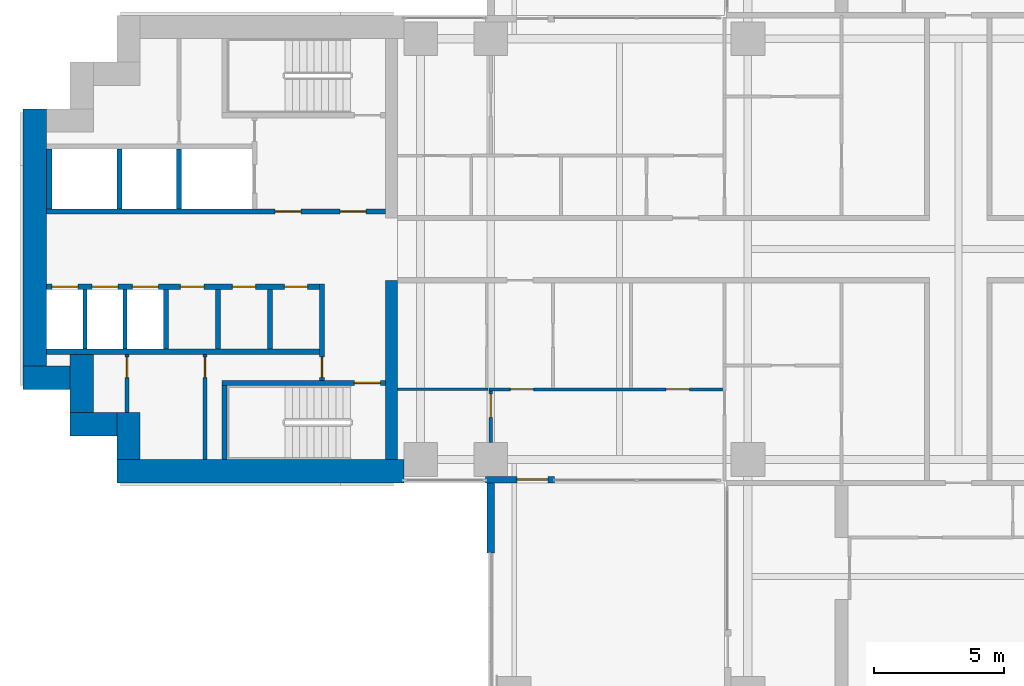
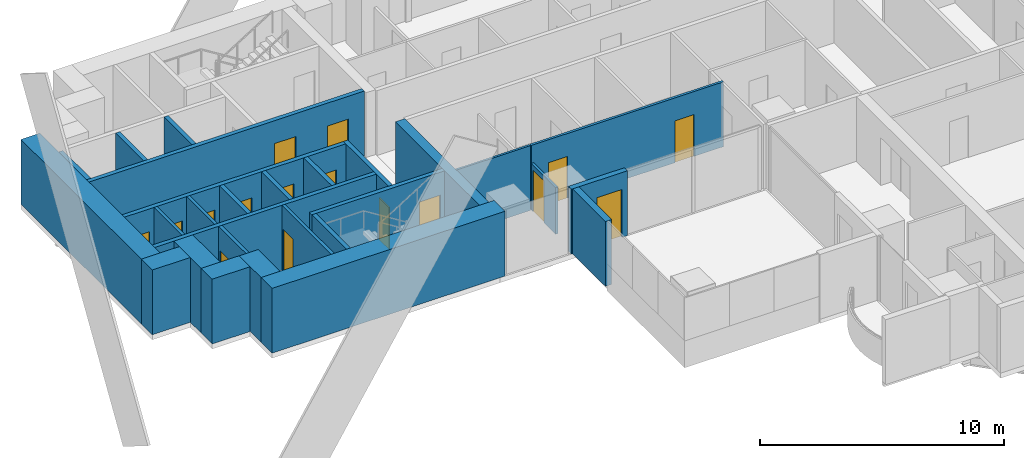
# One storey, part 11 of 23: 28 walls, 16 doors, 16 openings.
"""IFC4 building model written with IfcOpenShell, lengths in metres."""

from ifc_helpers import new_model, si_unit, direction, frame, frame_2d, origin, place, context, subcontext, project, spatial, rectangle, extrude, material, layer, layer_set, type_object, element, fill, save


model = new_model("IFC4")

# Units and contexts
model_context = context("Model", 3, precision=1e-05, world=origin(), true_north=direction((0.0, 1.0)))
body_context = subcontext(model_context, "Body", "Model", "MODEL_VIEW")
ifc_project = project(units=[si_unit("LENGTHUNIT", "METRE"), si_unit("AREAUNIT", "SQUARE_METRE"), si_unit("VOLUMEUNIT", "CUBIC_METRE"), si_unit("PLANEANGLEUNIT", "RADIAN"), si_unit("MASSUNIT", "GRAM", prefix="KILO")], contexts=[model_context])

# Site, building, storey
site_placement = place(None, origin())
site = spatial("IfcSite", under=ifc_project, at=site_placement, CompositionType="ELEMENT")
building_placement = place(site_placement, origin())
building = spatial("IfcBuilding", under=site, at=building_placement, Name="Perihelion Cross Residences", CompositionType="ELEMENT")
storey_placement = place(building_placement, frame((0.0, 0.0, 85.5)))
storey = spatial("IfcBuildingStorey", under=building, at=storey_placement, Name="L19", CompositionType="ELEMENT", Elevation=85.5)

# Wall, opening, door
ifc_material_1 = material(Name="Concrete C30/37, bronze-clad", Category="concrete")
ifc_layer_1 = layer(ifc_material_1, 0.25)
ifc_layer_set_1 = layer_set([ifc_layer_1], Name="Bronze-clad pier wall 250")
wall_type_1 = type_object("IfcWallType", Name="Bronze-clad pier wall 250", PredefinedType="SOLIDWALL", material=ifc_layer_set_1)
wall_1_placement = place(storey_placement, frame((-18.199951171875, -8.875, 0.0), z_axis=(0.0, 0.0, 1.0), x_axis=(1.0, 0.0, 0.0)))
wall_1 = element("IfcWall", 1, at=wall_1_placement, inside=storey, type_object=wall_type_1, Name="Wall FW1 L19 west side south bay 2 pier", PredefinedType="SOLIDWALL", context=body_context, shape_type="SweptSolid", body=[
    extrude(rectangle(XDim=2.64990234375, YDim=0.25, at=frame_2d((1.324951171875, 0.0))), origin(), (0.0, 0.0, 1.0), 3.25),
])
opening_1_placement = place(wall_1_placement, frame((1.199951171875, 0.0, 0.0)))
opening_1 = element("IfcOpeningElement", 2, at=opening_1_placement, cuts=wall_1, Name="Opening L19.E09", PredefinedType="OPENING", context=body_context, shape_type="SweptSolid", body=[
    extrude(rectangle(XDim=1.199951171875, YDim=2.39990234375, at=frame_2d((0.60009765625, 1.199951171875))), frame((0.0, 0.135009765625, 0.0), z_axis=(0.0, -1.0, 0.0), x_axis=(1.0, 0.0, 0.0)), (0.0, 0.0, 1.0), 0.27001953125),
])
ifc_material_2 = material(Name="Bronze anodised aluminium, glazed", Category="aluminium")
door_type_1 = type_object("IfcDoorType", Name="Balcony door 1200 x 2400", OperationType="NOTDEFINED", PredefinedType="DOOR", material=ifc_material_2)
door_1_placement = place(opening_1_placement, origin())
door_1 = element("IfcDoor", 3, at=door_1_placement, inside=storey, type_object=door_type_1, Name="Door L19.E09 west side south bay 2", OperationType="SINGLE_SWING_RIGHT", OverallHeight=2.39990234375, OverallWidth=1.199951171875, PredefinedType="DOOR", context=body_context, shape_type="SweptSolid", body=[
    extrude(rectangle(XDim=1.199951171875, YDim=2.39990234375, at=frame_2d((0.60009765625, 1.199951171875))), frame((0.0, 0.02490234375, 0.0), z_axis=(0.0, -1.0, 0.0), x_axis=(1.0, 0.0, 0.0)), (0.0, 0.0, 1.0), 0.050048828125),
])
fill(opening_1, door_1)

# Walls
ifc_material_3 = material(Name="Concrete C60/75", Category="concrete")
ifc_layer_2 = layer(ifc_material_3, 0.449951171875)
ifc_layer_set_2 = layer_set([ifc_layer_2], Name="Core wall, inner 450")
wall_type_2 = type_object("IfcWallType", Name="Core wall, inner 450", PredefinedType="SHEAR", material=ifc_layer_set_2)
wall_2_placement = place(storey_placement, frame((-21.824951171875, -8.10009765625, 0.0), z_axis=(0.0, 0.0, 1.0), x_axis=(0.0, 1.0, 0.0)))
element("IfcWall", 4, at=wall_2_placement, inside=storey, type_object=wall_type_2, Name="West core core wall, inner", PredefinedType="SHEAR", context=body_context, shape_type="SweptSolid", body=[
    extrude(rectangle(XDim=6.900146484375, YDim=0.449951171875, at=frame_2d((3.4501953125, 0.0))), origin(), (0.0, 0.0, 1.0), 3.25),
])
ifc_material_4 = material(Name="Concrete C60/75", Category="concrete")
ifc_layer_3 = layer(ifc_material_4, 0.89990234375)
ifc_layer_set_3 = layer_set([ifc_layer_3], Name="Core wall, outer 900")
wall_type_3 = type_object("IfcWallType", Name="Core wall, outer 900", PredefinedType="SHEAR", material=ifc_layer_set_3)
wall_3_placement = place(storey_placement, frame((-32.39990234375, -8.550048828125, 0.0), z_axis=(0.0, 0.0, 1.0), x_axis=(1.0, 0.0, 0.0)))
element("IfcWall", 5, at=wall_3_placement, inside=storey, type_object=wall_type_3, Name="West core core wall, outer", PredefinedType="SHEAR", context=body_context, shape_type="SweptSolid", body=[
    extrude(rectangle(XDim=11.0498046875, YDim=0.89990234375, at=frame_2d((5.52490234375, 0.0))), origin(), (0.0, 0.0, 1.0), 3.25),
])
for number, where, z_axis, x_axis, name in (
    (6, (-31.949951171875, -8.10009765625, 0.0), (0.0, 0.0, 1.0), (0.0, 1.0, 0.0), "West core core wall, outer"),
    (7, (-34.199951171875, -6.75, 0.0), (0.0, 0.0, 1.0), (1.0, 0.0, 0.0), "West core core wall, outer"),
):
    element("IfcWall", number, at=place(storey_placement, frame(where, z_axis=z_axis, x_axis=x_axis)), inside=storey, type_object=wall_type_3, Name=name, PredefinedType="SHEAR", context=body_context, shape_type="SweptSolid", body=[
        extrude(rectangle(XDim=1.800048828125, YDim=0.89990234375, at=frame_2d((0.89990234375, 0.0))), origin(), (0.0, 0.0, 1.0), 3.25),
    ])
wall_4_placement = place(storey_placement, frame((-33.75, -6.300048828125, 0.0), z_axis=(0.0, 0.0, 1.0), x_axis=(0.0, 1.0, 0.0)))
element("IfcWall", 8, at=wall_4_placement, inside=storey, type_object=wall_type_3, Name="West core core wall, outer", PredefinedType="SHEAR", context=body_context, shape_type="SweptSolid", body=[
    extrude(rectangle(XDim=2.25, YDim=0.89990234375, at=frame_2d((1.125, 0.0))), origin(), (0.0, 0.0, 1.0), 3.25),
])
wall_5_placement = place(storey_placement, frame((-36.0, -4.949951171875, 0.0), z_axis=(0.0, 0.0, 1.0), x_axis=(1.0, 0.0, 0.0)))
element("IfcWall", 9, at=wall_5_placement, inside=storey, type_object=wall_type_3, Name="West core core wall, outer", PredefinedType="SHEAR", context=body_context, shape_type="SweptSolid", body=[
    extrude(rectangle(XDim=1.800048828125, YDim=0.89990234375, at=frame_2d((0.89990234375, 0.0))), origin(), (0.0, 0.0, 1.0), 3.25),
])
wall_6_placement = place(storey_placement, frame((-35.550048828125, -4.5, 0.0), z_axis=(0.0, 0.0, 1.0), x_axis=(0.0, 1.0, 0.0)))
element("IfcWall", 10, at=wall_6_placement, inside=storey, type_object=wall_type_3, Name="West core core wall, outer", PredefinedType="SHEAR", context=body_context, shape_type="SweptSolid", body=[
    extrude(rectangle(XDim=9.89990234375, YDim=0.89990234375, at=frame_2d((4.949951171875, 0.0))), origin(), (0.0, 0.0, 1.0), 3.25),
])

# Wall, opening, door
ifc_material_5 = material(Name="Concrete C50/60", Category="concrete")
ifc_layer_4 = layer(ifc_material_5, 0.199951171875)
ifc_layer_set_4 = layer_set([ifc_layer_4], Name="Lobby wall 200")
wall_type_4 = type_object("IfcWallType", Name="Lobby wall 200", PredefinedType="SOLIDWALL", material=ifc_layer_set_4)
wall_7_placement = place(storey_placement, frame((-24.5, -5.050048828125, 0.0), z_axis=(0.0, 0.0, 1.0), x_axis=(0.0, 1.0, 0.0)))
wall_7 = element("IfcWall", 11, at=wall_7_placement, inside=storey, type_object=wall_type_4, Name="West core lobby wall", PredefinedType="SOLIDWALL", context=body_context, shape_type="SweptSolid", body=[
    extrude(rectangle(XDim=3.699951171875, YDim=0.199951171875, at=frame_2d((1.85009765625, 0.0))), origin(), (0.0, 0.0, 1.0), 3.25),
])
opening_2_placement = place(wall_7_placement, frame((0.10009765625, 0.0, 0.0)))
opening_2 = element("IfcOpeningElement", 12, at=opening_2_placement, cuts=wall_7, Name="Opening L19.C24", PredefinedType="OPENING", context=body_context, shape_type="SweptSolid", body=[
    extrude(rectangle(XDim=0.800048828125, YDim=2.10009765625, at=frame_2d((0.39990234375, 1.050048828125))), frame((0.0, 0.10986328125, 0.0), z_axis=(0.0, -1.0, 0.0), x_axis=(1.0, 0.0, 0.0)), (0.0, 0.0, 1.0), 0.219970703125),
])
ifc_material_6 = material(Name="Steel, powder coated", Category="steel")
door_type_2 = type_object("IfcDoorType", Name="Riser door 800", OperationType="SINGLE_SWING_LEFT", PredefinedType="DOOR", material=ifc_material_6)
door_2_placement = place(opening_2_placement, origin())
door_2 = element("IfcDoor", 13, at=door_2_placement, inside=storey, type_object=door_type_2, Name="West core riser door", OperationType="SINGLE_SWING_LEFT", OverallHeight=2.10009765625, OverallWidth=0.800048828125, PredefinedType="DOOR", context=body_context, shape_type="SweptSolid", body=[
    extrude(rectangle(XDim=0.800048828125, YDim=2.10009765625, at=frame_2d((0.39990234375, 1.050048828125))), frame((0.0, 0.02490234375, 0.0), z_axis=(0.0, -1.0, 0.0), x_axis=(1.0, 0.0, 0.0)), (0.0, 0.0, 1.0), 0.050048828125),
])
fill(opening_2, door_2)

# Wall, openings, doors
ifc_material_7 = material(Name="Plasterboard partition")
ifc_layer_5 = layer(ifc_material_7, 0.1201171875)
ifc_layer_set_5 = layer_set([ifc_layer_5], Name="Partition wall 120")
wall_type_5 = type_object("IfcWallType", Name="Partition wall 120", PredefinedType="PARTITIONING", material=ifc_layer_set_5)
wall_8_placement = place(storey_placement, frame((-8.93994140625, -5.39990234375, 0.0), z_axis=(0.0, 0.0, 1.0), x_axis=(-1.0, 0.0, 0.0)))
wall_8 = element("IfcWall", 14, at=wall_8_placement, inside=storey, type_object=wall_type_5, Name="Partition L19 W041", PredefinedType="PARTITIONING", context=body_context, shape_type="SweptSolid", body=[
    extrude(rectangle(XDim=9.1201171875, YDim=0.1201171875, at=frame_2d((4.56005859375, 0.0))), origin(), (0.0, 0.0, 1.0), 3.25),
])
opening_3_placement = place(wall_8_placement, frame((1.409912109375, 0.0, 0.0)))
opening_3 = element("IfcOpeningElement", 15, at=opening_3_placement, cuts=wall_8, Name="Opening L19.A28", PredefinedType="OPENING", context=body_context, shape_type="SweptSolid", body=[
    extrude(rectangle(XDim=0.89990234375, YDim=2.10009765625, at=frame_2d((0.449951171875, 1.050048828125))), frame((0.0, 0.070068359375, 0.0), z_axis=(0.0, -1.0, 0.0), x_axis=(1.0, 0.0, 0.0)), (0.0, 0.0, 1.0), 0.14013671875),
])
opening_4_placement = place(wall_8_placement, frame((7.409912109375, 0.0, 0.0)))
opening_4 = element("IfcOpeningElement", 16, at=opening_4_placement, cuts=wall_8, Name="Opening L19.A33", PredefinedType="OPENING", context=body_context, shape_type="SweptSolid", body=[
    extrude(rectangle(XDim=0.89990234375, YDim=2.10009765625, at=frame_2d((0.449951171875, 1.050048828125))), frame((0.0, 0.070068359375, 0.0), z_axis=(0.0, -1.0, 0.0), x_axis=(1.0, 0.0, 0.0)), (0.0, 0.0, 1.0), 0.14013671875),
])
ifc_material_8 = material(Name="Timber door leaf", Category="wood")
door_type_3 = type_object("IfcDoorType", Name="Interior room door 900 x 2100", OperationType="SINGLE_SWING_LEFT", PredefinedType="DOOR", material=ifc_material_8)
door_3_placement = place(opening_3_placement, origin())
door_3 = element("IfcDoor", 17, at=door_3_placement, inside=storey, type_object=door_type_3, Name="Door L19.A28", OperationType="SINGLE_SWING_RIGHT", OverallHeight=2.10009765625, OverallWidth=0.89990234375, PredefinedType="DOOR", context=body_context, shape_type="SweptSolid", body=[
    extrude(rectangle(XDim=0.89990234375, YDim=2.10009765625, at=frame_2d((0.449951171875, 1.050048828125))), frame((0.0, 0.02490234375, 0.0), z_axis=(0.0, -1.0, 0.0), x_axis=(1.0, 0.0, 0.0)), (0.0, 0.0, 1.0), 0.050048828125),
])
fill(opening_3, door_3)
door_4_placement = place(opening_4_placement, origin())
door_4 = element("IfcDoor", 18, at=door_4_placement, inside=storey, type_object=door_type_3, Name="Door L19.A33", OperationType="SINGLE_SWING_LEFT", OverallHeight=2.10009765625, OverallWidth=0.89990234375, PredefinedType="DOOR", context=body_context, shape_type="SweptSolid", body=[
    extrude(rectangle(XDim=0.89990234375, YDim=2.10009765625, at=frame_2d((0.449951171875, 1.050048828125))), frame((0.0, 0.02490234375, 0.0), z_axis=(0.0, -1.0, 0.0), x_axis=(1.0, 0.0, 0.0)), (0.0, 0.0, 1.0), 0.050048828125),
])
fill(opening_4, door_4)

# Wall, opening, door
wall_9_placement = place(storey_placement, frame((-18.0, -7.449951171875, 0.0), z_axis=(0.0, 0.0, 1.0), x_axis=(0.0, 1.0, 0.0)))
wall_9 = element("IfcWall", 19, at=wall_9_placement, inside=storey, type_object=wall_type_5, Name="Partition L19 W046", PredefinedType="PARTITIONING", context=body_context, shape_type="SweptSolid", body=[
    extrude(rectangle(XDim=1.989990234375, YDim=0.1201171875, at=frame_2d((0.9951171875, 0.0))), origin(), (0.0, 0.0, 1.0), 2.345947265625),
])
opening_5_placement = place(wall_9_placement, frame((0.969970703125, 0.0, 0.0)))
opening_5 = element("IfcOpeningElement", 20, at=opening_5_placement, cuts=wall_9, Name="Opening L19.A31", PredefinedType="OPENING", context=body_context, shape_type="SweptSolid", body=[
    extrude(rectangle(XDim=0.89990234375, YDim=2.10009765625, at=frame_2d((0.449951171875, 1.050048828125))), frame((0.0, 0.070068359375, 0.0), z_axis=(0.0, -1.0, 0.0), x_axis=(1.0, 0.0, 0.0)), (0.0, 0.0, 1.0), 0.14013671875),
])
door_5_placement = place(opening_5_placement, origin())
door_5 = element("IfcDoor", 21, at=door_5_placement, inside=storey, type_object=door_type_3, Name="Door L19.A31", OperationType="SINGLE_SWING_LEFT", OverallHeight=2.10009765625, OverallWidth=0.89990234375, PredefinedType="DOOR", context=body_context, shape_type="SweptSolid", body=[
    extrude(rectangle(XDim=0.89990234375, YDim=2.10009765625, at=frame_2d((0.449951171875, 1.050048828125))), frame((0.0, 0.02490234375, 0.0), z_axis=(0.0, -1.0, 0.0), x_axis=(1.0, 0.0, 0.0)), (0.0, 0.0, 1.0), 0.050048828125),
])
fill(opening_5, door_5)

# Wall
ifc_material_9 = material(Name="Precast concrete C50/60", Category="concrete")
ifc_layer_6 = layer(ifc_material_9, 0.300048828125)
ifc_layer_set_6 = layer_set([ifc_layer_6], Name="Precast concrete C50/60 blade wall 300")
wall_type_6 = type_object("IfcWallType", Name="Precast concrete C50/60 blade wall 300", PredefinedType="SOLIDWALL", material=ifc_layer_set_6)
wall_10_placement = place(storey_placement, frame((-18.0, -8.75, 0.0), z_axis=(0.0, 0.0, 1.0), x_axis=(0.0, -1.0, 0.0)))
element("IfcWall", 22, at=wall_10_placement, inside=storey, type_object=wall_type_6, Name="Wall BL1 L19 no. 1", PredefinedType="SOLIDWALL", context=body_context, shape_type="SweptSolid", body=[
    extrude(rectangle(XDim=2.949951171875, YDim=0.300048828125, at=frame_2d((1.47509765625, 0.0))), origin(), (0.0, 0.0, 1.0), 3.25),
])

# Wall, opening, door
ifc_material_10 = material(Name="Fire-rated board on steel stud", Category="steel")
ifc_layer_7 = layer(ifc_material_10, 0.14990234375)
ifc_layer_set_7 = layer_set([ifc_layer_7], Name="Riser wall 150")
wall_type_7 = type_object("IfcWallType", Name="Riser wall 150", PredefinedType="PARTITIONING", material=ifc_layer_set_7)
wall_11_placement = place(storey_placement, frame((-29.0, -8.10009765625, 0.0), z_axis=(0.0, 0.0, 1.0), x_axis=(0.0, 1.0, 0.0)))
wall_11 = element("IfcWall", 23, at=wall_11_placement, inside=storey, type_object=wall_type_7, Name="West core riser wall", PredefinedType="PARTITIONING", context=body_context, shape_type="SweptSolid", body=[
    extrude(rectangle(XDim=4.050048828125, YDim=0.14990234375, at=frame_2d((2.02490234375, 0.0))), origin(), (0.0, 0.0, 1.0), 3.25),
])
opening_6_placement = place(wall_11_placement, frame((3.14990234375, 0.0, 0.0)))
opening_6 = element("IfcOpeningElement", 24, at=opening_6_placement, cuts=wall_11, Name="Opening L19.C29", PredefinedType="OPENING", context=body_context, shape_type="SweptSolid", body=[
    extrude(rectangle(XDim=0.800048828125, YDim=2.10009765625, at=frame_2d((0.39990234375, 1.050048828125))), frame((0.0, 0.0849609375, 0.0), z_axis=(0.0, -1.0, 0.0), x_axis=(1.0, 0.0, 0.0)), (0.0, 0.0, 1.0), 0.169921875),
])
door_6_placement = place(opening_6_placement, origin())
door_6 = element("IfcDoor", 25, at=door_6_placement, inside=storey, type_object=door_type_2, Name="West core riser door", OperationType="SINGLE_SWING_LEFT", OverallHeight=2.10009765625, OverallWidth=0.800048828125, PredefinedType="DOOR", context=body_context, shape_type="SweptSolid", body=[
    extrude(rectangle(XDim=0.800048828125, YDim=2.10009765625, at=frame_2d((0.39990234375, 1.050048828125))), frame((0.0, 0.02490234375, 0.0), z_axis=(0.0, -1.0, 0.0), x_axis=(1.0, 0.0, 0.0)), (0.0, 0.0, 1.0), 0.050048828125),
])
fill(opening_6, door_6)

wall_12_placement = place(storey_placement, frame((-32.0, -6.300048828125, 0.0), z_axis=(0.0, 0.0, 1.0), x_axis=(0.0, 1.0, 0.0)))
wall_12 = element("IfcWall", 26, at=wall_12_placement, inside=storey, type_object=wall_type_7, Name="West core riser wall", PredefinedType="PARTITIONING", context=body_context, shape_type="SweptSolid", body=[
    extrude(rectangle(XDim=2.25, YDim=0.14990234375, at=frame_2d((1.125, 0.0))), origin(), (0.0, 0.0, 1.0), 3.25),
])
opening_7_placement = place(wall_12_placement, frame((1.35009765625, 0.0, 0.0)))
opening_7 = element("IfcOpeningElement", 27, at=opening_7_placement, cuts=wall_12, Name="Opening L19.C32", PredefinedType="OPENING", context=body_context, shape_type="SweptSolid", body=[
    extrude(rectangle(XDim=0.800048828125, YDim=2.10009765625, at=frame_2d((0.39990234375, 1.050048828125))), frame((0.0, 0.0849609375, 0.0), z_axis=(0.0, -1.0, 0.0), x_axis=(1.0, 0.0, 0.0)), (0.0, 0.0, 1.0), 0.169921875),
])
door_7_placement = place(opening_7_placement, origin())
door_7 = element("IfcDoor", 28, at=door_7_placement, inside=storey, type_object=door_type_2, Name="West core riser door", OperationType="SINGLE_SWING_LEFT", OverallHeight=2.10009765625, OverallWidth=0.800048828125, PredefinedType="DOOR", context=body_context, shape_type="SweptSolid", body=[
    extrude(rectangle(XDim=0.800048828125, YDim=2.10009765625, at=frame_2d((0.39990234375, 1.050048828125))), frame((0.0, 0.02490234375, 0.0), z_axis=(0.0, -1.0, 0.0), x_axis=(1.0, 0.0, 0.0)), (0.0, 0.0, 1.0), 0.050048828125),
])
fill(opening_7, door_7)

# Walls
ifc_material_11 = material(Name="Fire-rated board on steel stud", Category="steel")
ifc_layer_8 = layer(ifc_material_11, 0.199951171875)
ifc_layer_set_8 = layer_set([ifc_layer_8], Name="Riser wall 200")
wall_type_8 = type_object("IfcWallType", Name="Riser wall 200", PredefinedType="PARTITIONING", material=ifc_layer_set_8)
for number, where, z_axis, x_axis, name in (
    (29, (-26.5, -3.85009765625, 0.0), (0.0, 0.0, 1.0), (0.0, 1.0, 0.0), "West core riser wall"),
    (30, (-28.5, -3.85009765625, 0.0), (0.0, 0.0, 1.0), (0.0, 1.0, 0.0), "West core riser wall"),
):
    element("IfcWall", number, at=place(storey_placement, frame(where, z_axis=z_axis, x_axis=x_axis)), inside=storey, type_object=wall_type_8, Name=name, PredefinedType="PARTITIONING", context=body_context, shape_type="SweptSolid", body=[
        extrude(rectangle(XDim=2.300048828125, YDim=0.199951171875, at=frame_2d((1.14990234375, 0.0))), origin(), (0.0, 0.0, 1.0), 3.25),
    ])
ifc_material_12 = material(Name="Concrete C50/60", Category="concrete")
ifc_layer_9 = layer(ifc_material_12, 0.14990234375)
ifc_layer_set_9 = layer_set([ifc_layer_9], Name="Shaft wall 150")
wall_type_9 = type_object("IfcWallType", Name="Shaft wall 150", PredefinedType="SOLIDWALL", material=ifc_layer_set_9)
for number, where, z_axis, x_axis, name in (
    (31, (-32.074951171875, -3.85009765625, 0.0), (0.0, 0.0, 1.0), (0.0, 1.0, 0.0), "West core shaft wall"),
    (32, (-33.625, -3.85009765625, 0.0), (0.0, 0.0, 1.0), (0.0, 1.0, 0.0), "West core shaft wall"),
):
    element("IfcWall", number, at=place(storey_placement, frame(where, z_axis=z_axis, x_axis=x_axis)), inside=storey, type_object=wall_type_9, Name=name, PredefinedType="SOLIDWALL", context=body_context, shape_type="SweptSolid", body=[
        extrude(rectangle(XDim=2.300048828125, YDim=0.14990234375, at=frame_2d((1.14990234375, 0.0))), origin(), (0.0, 0.0, 1.0), 3.25),
    ])

# Wall, openings, doors
ifc_material_13 = material(Name="Concrete C50/60", Category="concrete")
ifc_layer_10 = layer(ifc_material_13, 0.199951171875)
ifc_layer_set_10 = layer_set([ifc_layer_10], Name="Shaft wall 200")
wall_type_10 = type_object("IfcWallType", Name="Shaft wall 200", PredefinedType="SOLIDWALL", material=ifc_layer_set_10)
wall_13_placement = place(storey_placement, frame((-35.10009765625, 1.449951171875, 0.0), z_axis=(0.0, 0.0, 1.0), x_axis=(1.0, 0.0, 0.0)))
wall_13 = element("IfcWall", 33, at=wall_13_placement, inside=storey, type_object=wall_type_10, Name="West core shaft wall", PredefinedType="SOLIDWALL", context=body_context, shape_type="SweptSolid", body=[
    extrude(rectangle(XDim=13.050048828125, YDim=0.199951171875, at=frame_2d((6.52490234375, 0.0))), origin(), (0.0, 0.0, 1.0), 3.25),
])
opening_8_placement = place(wall_13_placement, frame((11.300048828125, 0.0, 0.0)))
opening_8 = element("IfcOpeningElement", 34, at=opening_8_placement, cuts=wall_13, Name="Opening L19.C23", PredefinedType="OPENING", context=body_context, shape_type="SweptSolid", body=[
    extrude(rectangle(XDim=1.0, YDim=2.10009765625, at=frame_2d((0.5, 1.050048828125))), frame((0.0, 0.10986328125, 0.0), z_axis=(0.0, -1.0, 0.0), x_axis=(1.0, 0.0, 0.0)), (0.0, 0.0, 1.0), 0.219970703125),
])
opening_9_placement = place(wall_13_placement, frame((8.800048828125, 0.0, 0.0)))
opening_9 = element("IfcOpeningElement", 35, at=opening_9_placement, cuts=wall_13, Name="Opening L19.C26", PredefinedType="OPENING", context=body_context, shape_type="SweptSolid", body=[
    extrude(rectangle(XDim=1.0, YDim=2.10009765625, at=frame_2d((0.5, 1.050048828125))), frame((0.0, 0.10986328125, 0.0), z_axis=(0.0, -1.0, 0.0), x_axis=(1.0, 0.0, 0.0)), (0.0, 0.0, 1.0), 0.219970703125),
])
ifc_material_14 = material(Name="Steel, powder coated", Category="steel")
door_type_4 = type_object("IfcDoorType", Name="Lobby door 1000", OperationType="SINGLE_SWING_LEFT", PredefinedType="DOOR", material=ifc_material_14)
door_8_placement = place(opening_8_placement, origin())
door_8 = element("IfcDoor", 36, at=door_8_placement, inside=storey, type_object=door_type_4, Name="West core firefighting lobby door", OperationType="SINGLE_SWING_LEFT", OverallHeight=2.10009765625, OverallWidth=1.0, PredefinedType="DOOR", context=body_context, shape_type="SweptSolid", body=[
    extrude(rectangle(XDim=1.0, YDim=2.10009765625, at=frame_2d((0.5, 1.050048828125))), frame((0.0, 0.02490234375, 0.0), z_axis=(0.0, -1.0, 0.0), x_axis=(1.0, 0.0, 0.0)), (0.0, 0.0, 1.0), 0.050048828125),
])
fill(opening_8, door_8)
door_9_placement = place(opening_9_placement, origin())
door_9 = element("IfcDoor", 37, at=door_9_placement, inside=storey, type_object=door_type_4, Name="West core firefighting lobby door", OperationType="SINGLE_SWING_LEFT", OverallHeight=2.10009765625, OverallWidth=1.0, PredefinedType="DOOR", context=body_context, shape_type="SweptSolid", body=[
    extrude(rectangle(XDim=1.0, YDim=2.10009765625, at=frame_2d((0.5, 1.050048828125))), frame((0.0, 0.02490234375, 0.0), z_axis=(0.0, -1.0, 0.0), x_axis=(1.0, 0.0, 0.0)), (0.0, 0.0, 1.0), 0.050048828125),
])
fill(opening_9, door_9)

wall_14_placement = place(storey_placement, frame((-35.10009765625, -1.449951171875, 0.0), z_axis=(0.0, 0.0, 1.0), x_axis=(1.0, 0.0, 0.0)))
wall_14 = element("IfcWall", 38, at=wall_14_placement, inside=storey, type_object=wall_type_10, Name="West core shaft wall", PredefinedType="SOLIDWALL", context=body_context, shape_type="SweptSolid", body=[
    extrude(rectangle(XDim=10.5, YDim=0.199951171875, at=frame_2d((5.25, 0.0))), origin(), (0.0, 0.0, 1.0), 3.25),
])
opening_10_placement = place(wall_14_placement, frame((3.300048828125, 0.0, 0.0)))
opening_10 = element("IfcOpeningElement", 39, at=opening_10_placement, cuts=wall_14, Name="Opening L19.C18", PredefinedType="OPENING", context=body_context, shape_type="SweptSolid", body=[
    extrude(rectangle(XDim=1.0, YDim=2.10009765625, at=frame_2d((0.5, 1.050048828125))), frame((0.0, 0.10986328125, 0.0), z_axis=(0.0, -1.0, 0.0), x_axis=(1.0, 0.0, 0.0)), (0.0, 0.0, 1.0), 0.219970703125),
])
opening_11_placement = place(wall_14_placement, frame((1.75, 0.0, 0.0)))
opening_11 = element("IfcOpeningElement", 40, at=opening_11_placement, cuts=wall_14, Name="Opening L19.C19", PredefinedType="OPENING", context=body_context, shape_type="SweptSolid", body=[
    extrude(rectangle(XDim=1.0, YDim=2.10009765625, at=frame_2d((0.5, 1.050048828125))), frame((0.0, 0.10986328125, 0.0), z_axis=(0.0, -1.0, 0.0), x_axis=(1.0, 0.0, 0.0)), (0.0, 0.0, 1.0), 0.219970703125),
])
opening_12_placement = place(wall_14_placement, frame((0.199951171875, 0.0, 0.0)))
opening_12 = element("IfcOpeningElement", 41, at=opening_12_placement, cuts=wall_14, Name="Opening L19.C20", PredefinedType="OPENING", context=body_context, shape_type="SweptSolid", body=[
    extrude(rectangle(XDim=1.0, YDim=2.10009765625, at=frame_2d((0.5, 1.050048828125))), frame((0.0, 0.10986328125, 0.0), z_axis=(0.0, -1.0, 0.0), x_axis=(1.0, 0.0, 0.0)), (0.0, 0.0, 1.0), 0.219970703125),
])
opening_13_placement = place(wall_14_placement, frame((9.14990234375, 0.0, 0.0)))
opening_13 = element("IfcOpeningElement", 42, at=opening_13_placement, cuts=wall_14, Name="Opening L19.C25", PredefinedType="OPENING", context=body_context, shape_type="SweptSolid", body=[
    extrude(rectangle(XDim=0.89990234375, YDim=2.10009765625, at=frame_2d((0.449951171875, 1.050048828125))), frame((0.0, 0.10986328125, 0.0), z_axis=(0.0, -1.0, 0.0), x_axis=(1.0, 0.0, 0.0)), (0.0, 0.0, 1.0), 0.219970703125),
])
opening_14_placement = place(wall_14_placement, frame((7.14990234375, 0.0, 0.0)))
opening_14 = element("IfcOpeningElement", 43, at=opening_14_placement, cuts=wall_14, Name="Opening L19.C28", PredefinedType="OPENING", context=body_context, shape_type="SweptSolid", body=[
    extrude(rectangle(XDim=0.89990234375, YDim=2.10009765625, at=frame_2d((0.449951171875, 1.050048828125))), frame((0.0, 0.10986328125, 0.0), z_axis=(0.0, -1.0, 0.0), x_axis=(1.0, 0.0, 0.0)), (0.0, 0.0, 1.0), 0.219970703125),
])
opening_15_placement = place(wall_14_placement, frame((5.14990234375, 0.0, 0.0)))
opening_15 = element("IfcOpeningElement", 44, at=opening_15_placement, cuts=wall_14, Name="Opening L19.C30", PredefinedType="OPENING", context=body_context, shape_type="SweptSolid", body=[
    extrude(rectangle(XDim=0.89990234375, YDim=2.10009765625, at=frame_2d((0.449951171875, 1.050048828125))), frame((0.0, 0.10986328125, 0.0), z_axis=(0.0, -1.0, 0.0), x_axis=(1.0, 0.0, 0.0)), (0.0, 0.0, 1.0), 0.219970703125),
])
ifc_material_15 = material(Name="Stainless steel", Category="steel")
door_type_5 = type_object("IfcDoorType", Name="Landing door 1000", OperationType="DOUBLE_DOOR_SLIDING", PredefinedType="DOOR", material=ifc_material_15)
door_10_placement = place(opening_10_placement, origin())
door_10 = element("IfcDoor", 45, at=door_10_placement, inside=storey, type_object=door_type_5, Name="Landing door, West core low-rise lift 1", OperationType="DOUBLE_DOOR_SLIDING", OverallHeight=2.10009765625, OverallWidth=1.0, PredefinedType="DOOR", context=body_context, shape_type="SweptSolid", body=[
    extrude(rectangle(XDim=1.0, YDim=2.10009765625, at=frame_2d((0.5, 1.050048828125))), frame((0.0, 0.02490234375, 0.0), z_axis=(0.0, -1.0, 0.0), x_axis=(1.0, 0.0, 0.0)), (0.0, 0.0, 1.0), 0.050048828125),
])
fill(opening_10, door_10)
door_11_placement = place(opening_11_placement, origin())
door_11 = element("IfcDoor", 46, at=door_11_placement, inside=storey, type_object=door_type_5, Name="Landing door, West core low-rise lift 2", OperationType="DOUBLE_DOOR_SLIDING", OverallHeight=2.10009765625, OverallWidth=1.0, PredefinedType="DOOR", context=body_context, shape_type="SweptSolid", body=[
    extrude(rectangle(XDim=1.0, YDim=2.10009765625, at=frame_2d((0.5, 1.050048828125))), frame((0.0, 0.02490234375, 0.0), z_axis=(0.0, -1.0, 0.0), x_axis=(1.0, 0.0, 0.0)), (0.0, 0.0, 1.0), 0.050048828125),
])
fill(opening_11, door_11)
door_12_placement = place(opening_12_placement, origin())
door_12 = element("IfcDoor", 47, at=door_12_placement, inside=storey, type_object=door_type_5, Name="Landing door, West core low-rise lift 3", OperationType="DOUBLE_DOOR_SLIDING", OverallHeight=2.10009765625, OverallWidth=1.0, PredefinedType="DOOR", context=body_context, shape_type="SweptSolid", body=[
    extrude(rectangle(XDim=1.0, YDim=2.10009765625, at=frame_2d((0.5, 1.050048828125))), frame((0.0, 0.02490234375, 0.0), z_axis=(0.0, -1.0, 0.0), x_axis=(1.0, 0.0, 0.0)), (0.0, 0.0, 1.0), 0.050048828125),
])
fill(opening_12, door_12)
ifc_material_16 = material(Name="Steel, powder coated", Category="steel")
door_type_6 = type_object("IfcDoorType", Name="Service room door 900", OperationType="SINGLE_SWING_LEFT", PredefinedType="DOOR", material=ifc_material_16)
door_13_placement = place(opening_13_placement, origin())
door_13 = element("IfcDoor", 48, at=door_13_placement, inside=storey, type_object=door_type_6, Name="West core service room door", OperationType="SINGLE_SWING_LEFT", OverallHeight=2.10009765625, OverallWidth=0.89990234375, PredefinedType="DOOR", context=body_context, shape_type="SweptSolid", body=[
    extrude(rectangle(XDim=0.89990234375, YDim=2.10009765625, at=frame_2d((0.449951171875, 1.050048828125))), frame((0.0, 0.02490234375, 0.0), z_axis=(0.0, -1.0, 0.0), x_axis=(1.0, 0.0, 0.0)), (0.0, 0.0, 1.0), 0.050048828125),
])
fill(opening_13, door_13)
door_14_placement = place(opening_14_placement, origin())
door_14 = element("IfcDoor", 49, at=door_14_placement, inside=storey, type_object=door_type_6, Name="West core service room door", OperationType="SINGLE_SWING_LEFT", OverallHeight=2.10009765625, OverallWidth=0.89990234375, PredefinedType="DOOR", context=body_context, shape_type="SweptSolid", body=[
    extrude(rectangle(XDim=0.89990234375, YDim=2.10009765625, at=frame_2d((0.449951171875, 1.050048828125))), frame((0.0, 0.02490234375, 0.0), z_axis=(0.0, -1.0, 0.0), x_axis=(1.0, 0.0, 0.0)), (0.0, 0.0, 1.0), 0.050048828125),
])
fill(opening_14, door_14)
door_15_placement = place(opening_15_placement, origin())
door_15 = element("IfcDoor", 50, at=door_15_placement, inside=storey, type_object=door_type_6, Name="West core service room door", OperationType="SINGLE_SWING_LEFT", OverallHeight=2.10009765625, OverallWidth=0.89990234375, PredefinedType="DOOR", context=body_context, shape_type="SweptSolid", body=[
    extrude(rectangle(XDim=0.89990234375, YDim=2.10009765625, at=frame_2d((0.449951171875, 1.050048828125))), frame((0.0, 0.02490234375, 0.0), z_axis=(0.0, -1.0, 0.0), x_axis=(1.0, 0.0, 0.0)), (0.0, 0.0, 1.0), 0.050048828125),
])
fill(opening_15, door_15)

# Walls
wall_15_placement = place(storey_placement, frame((-35.10009765625, -3.949951171875, 0.0), z_axis=(0.0, 0.0, 1.0), x_axis=(1.0, 0.0, 0.0)))
element("IfcWall", 51, at=wall_15_placement, inside=storey, type_object=wall_type_10, Name="West core shaft wall", PredefinedType="SOLIDWALL", context=body_context, shape_type="SweptSolid", body=[
    extrude(rectangle(XDim=10.5, YDim=0.199951171875, at=frame_2d((5.25, 0.0))), origin(), (0.0, 0.0, 1.0), 3.25),
])
for number, where, z_axis, x_axis, name in (
    (52, (-30.0, 1.550048828125, 0.0), (0.0, 0.0, 1.0), (0.0, 1.0, 0.0), "West core shaft wall"),
    (53, (-32.300048828125, 1.550048828125, 0.0), (0.0, 0.0, 1.0), (0.0, 1.0, 0.0), "West core shaft wall"),
    (54, (-35.0, 1.550048828125, 0.0), (0.0, 0.0, 1.0), (0.0, 1.0, 0.0), "West core shaft wall"),
    (55, (-30.5, -3.85009765625, 0.0), (0.0, 0.0, 1.0), (0.0, 1.0, 0.0), "West core shaft wall"),
):
    element("IfcWall", number, at=place(storey_placement, frame(where, z_axis=z_axis, x_axis=x_axis)), inside=storey, type_object=wall_type_10, Name=name, PredefinedType="SOLIDWALL", context=body_context, shape_type="SweptSolid", body=[
        extrude(rectangle(XDim=2.300048828125, YDim=0.199951171875, at=frame_2d((1.14990234375, 0.0))), origin(), (0.0, 0.0, 1.0), 3.25),
    ])

# Wall, opening, door
ifc_material_17 = material(Name="Concrete C50/60", Category="concrete")
ifc_layer_11 = layer(ifc_material_17, 0.199951171875)
ifc_layer_set_11 = layer_set([ifc_layer_11], Name="Stair wall 200")
wall_type_11 = type_object("IfcWallType", Name="Stair wall 200", PredefinedType="SOLIDWALL", material=ifc_layer_set_11)
wall_16_placement = place(storey_placement, frame((-28.35009765625, -5.14990234375, 0.0), z_axis=(0.0, 0.0, 1.0), x_axis=(1.0, 0.0, 0.0)))
wall_16 = element("IfcWall", 56, at=wall_16_placement, inside=storey, type_object=wall_type_11, Name="West core stair wall", PredefinedType="SOLIDWALL", context=body_context, shape_type="SweptSolid", body=[
    extrude(rectangle(XDim=6.300048828125, YDim=0.199951171875, at=frame_2d((3.14990234375, 0.0))), origin(), (0.0, 0.0, 1.0), 3.25),
])
opening_16_placement = place(wall_16_placement, frame((5.10009765625, 0.0, 0.0)))
opening_16 = element("IfcOpeningElement", 57, at=opening_16_placement, cuts=wall_16, Name="Opening L19.C21", PredefinedType="OPENING", context=body_context, shape_type="SweptSolid", body=[
    extrude(rectangle(XDim=1.0, YDim=2.10009765625, at=frame_2d((0.5, 1.050048828125))), frame((0.0, 0.10986328125, 0.0), z_axis=(0.0, -1.0, 0.0), x_axis=(1.0, 0.0, 0.0)), (0.0, 0.0, 1.0), 0.219970703125),
])
ifc_material_18 = material(Name="Steel, powder coated", Category="steel")
door_type_7 = type_object("IfcDoorType", Name="Stair door 1000", OperationType="SINGLE_SWING_LEFT", PredefinedType="DOOR", material=ifc_material_18)
door_16_placement = place(opening_16_placement, origin())
door_16 = element("IfcDoor", 58, at=door_16_placement, inside=storey, type_object=door_type_7, Name="West core stair door", OperationType="SINGLE_SWING_LEFT", OverallHeight=2.10009765625, OverallWidth=1.0, PredefinedType="DOOR", context=body_context, shape_type="SweptSolid", body=[
    extrude(rectangle(XDim=1.0, YDim=2.10009765625, at=frame_2d((0.5, 1.050048828125))), frame((0.0, 0.02490234375, 0.0), z_axis=(0.0, -1.0, 0.0), x_axis=(1.0, 0.0, 0.0)), (0.0, 0.0, 1.0), 0.050048828125),
])
fill(opening_16, door_16)

# Walls
wall_17_placement = place(storey_placement, frame((-28.25, -8.10009765625, 0.0), z_axis=(0.0, 0.0, 1.0), x_axis=(0.0, 1.0, 0.0)))
element("IfcWall", 59, at=wall_17_placement, inside=storey, type_object=wall_type_11, Name="West core stair wall", PredefinedType="SOLIDWALL", context=body_context, shape_type="SweptSolid", body=[
    extrude(rectangle(XDim=2.85009765625, YDim=0.199951171875, at=frame_2d((1.425048828125, 0.0))), origin(), (0.0, 0.0, 1.0), 3.25),
])
ifc_material_19 = material(Name="Plasterboard partition")
ifc_layer_12 = layer(ifc_material_19, 0.10009765625)
ifc_layer_set_12 = layer_set([ifc_layer_12], Name="Wet room wall 100")
wall_type_12 = type_object("IfcWallType", Name="Wet room wall 100", PredefinedType="PARTITIONING", material=ifc_layer_set_12)
wall_18_placement = place(storey_placement, frame((-18.10009765625, -5.39990234375, 0.0), z_axis=(0.0, 0.0, 1.0), x_axis=(-1.0, 0.0, 0.0)))
element("IfcWall", 60, at=wall_18_placement, inside=storey, type_object=wall_type_12, Name="Partition L19 W045", PredefinedType="PARTITIONING", context=body_context, shape_type="SweptSolid", body=[
    extrude(rectangle(XDim=3.5, YDim=0.10009765625, at=frame_2d((1.75, 0.0))), origin(), (0.0, 0.0, 1.0), 3.25),
])

save(model, "model.ifc")
